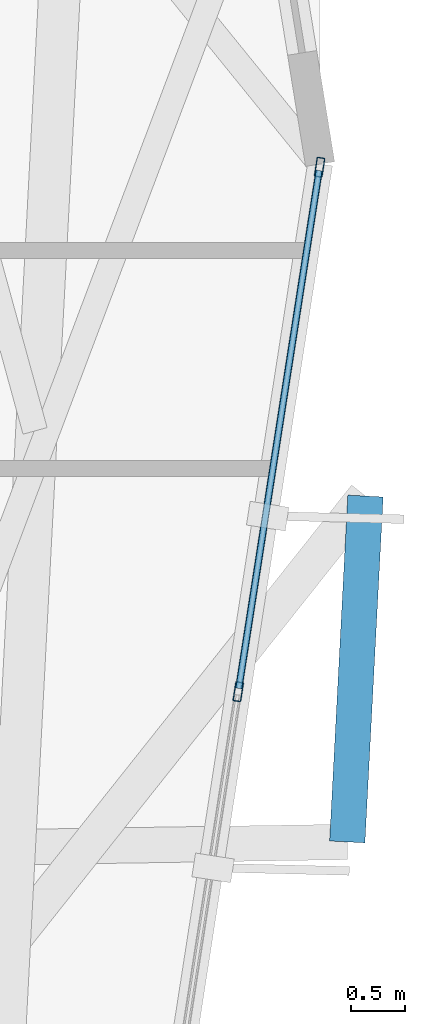
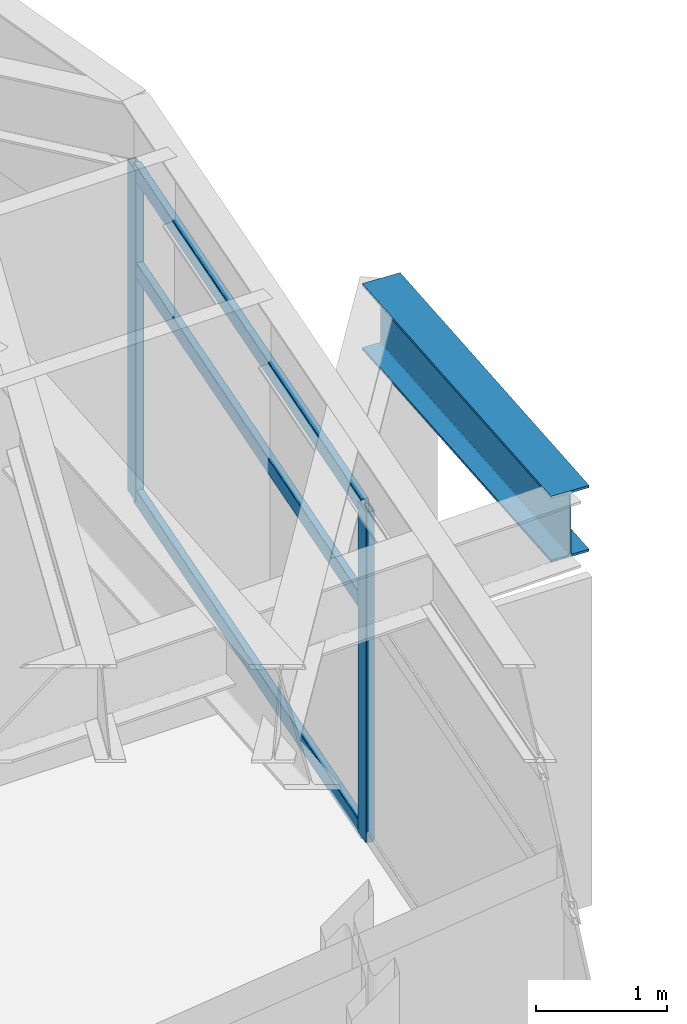
# One storey, part 11 of 23: 5 members, 1 beam, 1 element without a shape of its own.
"""IFC4 building model written with IfcOpenShell, lengths in metres."""

from ifc_helpers import new_model, si_unit, direction, frame, origin, origin_2d, place, context, subcontext, project, spatial, hollow_rectangle, i_section, extrude, material, layer, layer_set, material_profile, profile_set, type_object, element, aggregate, save


model = new_model("IFC4")

# Units and contexts
model_context = context("Model", 3, precision=1e-05, world=origin(), true_north=direction((0.0, 1.0)))
body_context = subcontext(model_context, "Body", "Model", "MODEL_VIEW")
ifc_project = project(units=[si_unit("LENGTHUNIT", "METRE"), si_unit("AREAUNIT", "SQUARE_METRE"), si_unit("VOLUMEUNIT", "CUBIC_METRE"), si_unit("PLANEANGLEUNIT", "RADIAN"), si_unit("MASSUNIT", "GRAM", prefix="KILO")], contexts=[model_context])

# Site, building, storey
site_placement = place(None, origin())
site = spatial("IfcSite", under=ifc_project, at=site_placement, CompositionType="ELEMENT")
building_placement = place(site_placement, origin())
building = spatial("IfcBuilding", under=site, at=building_placement, Name="Soratama Intermodal Tower", CompositionType="ELEMENT")
storey_placement = place(building_placement, frame((0.0, 0.0, 62.60009765625)))
storey = spatial("IfcBuildingStorey", under=building, at=storey_placement, Name="L14", CompositionType="ELEMENT", Elevation=62.60009765625)

# Beam
ifc_material_1 = material(Name="Structural steel ASTM A992 Grade 50", Category="steel")
ifc_material_profile_1 = material_profile(ifc_material_1, i_section(OverallWidth=0.324951171875, OverallDepth=0.615966796875, WebThickness=0.013916015625, FlangeThickness=0.021484375, FilletRadius=0.013916015625, at=origin_2d()), Name="W24X117")
ifc_profile_set_1 = profile_set([ifc_material_profile_1], Name="Structural steel ASTM A992 Grade 50")
beam_type = type_object("IfcBeamType", Name="BM-CANT-W24X117", PredefinedType="BEAM", material=ifc_profile_set_1)
beam_placement = place(storey_placement, frame((65.64599609375, 20.572998046875, 3.391845703125), z_axis=(0.052538675548, 0.998618890054, 0.0), x_axis=(-0.998618890054, 0.052538675548, 0.0)))
element("IfcBeam", 1, at=beam_placement, inside=storey, type_object=beam_type, Name="BM-L14-CBHDR-1", PredefinedType="BEAM", context=body_context, shape_type="SweptSolid", body=[
    extrude(i_section(OverallWidth=0.324951171875, OverallDepth=0.615966796875, WebThickness=0.013916015625, FlangeThickness=0.021484375, FilletRadius=0.013916015625, at=origin_2d()), origin(), (0.0, 0.0, 1.0), 3.178466796875),
])

# Curtain wall, members
ifc_material_2 = material(Name="Double-glazed aluminium curtain wall", Category="aluminium")
ifc_layer = layer(ifc_material_2, 0.159912109375)
ifc_layer_set = layer_set([ifc_layer], Name="Double-glazed aluminium curtain wall")
curtain_wall_type = type_object("IfcCurtainWallType", Name="CW-SYS-2", PredefinedType="NOTDEFINED", material=ifc_layer_set)
curtain_wall_placement = place(storey_placement, origin())
curtain_wall = element("IfcCurtainWall", 2, at=curtain_wall_placement, inside=storey, type_object=curtain_wall_type, Name="L14 Faceted Curtain Wall F10", PredefinedType="NOTDEFINED")
ifc_material_3 = material(Name="Anodised aluminium AA 6063-T6", Category="aluminium")
ifc_material_profile_2 = material_profile(ifc_material_3, hollow_rectangle(XDim=0.074951171875, YDim=0.179931640625, WallThickness=0.006103515625, InnerFilletRadius=0.006103515625, OuterFilletRadius=0.011962890625, at=origin_2d()), Name="CWM180X75X6")
ifc_profile_set_2 = profile_set([ifc_material_profile_2], Name="Anodised aluminium AA 6063-T6")
member_type_1 = type_object("IfcMemberType", Name="MT-CWM-2", PredefinedType="MULLION", material=ifc_profile_set_2)
member_1_placement = place(storey_placement, frame((64.6455078125, 21.95166015625, 0.0), z_axis=(0.0, 0.0, 1.0), x_axis=(-0.98817528955, 0.153328396334, 0.0)))
member_1 = element("IfcMember", 3, at=member_1_placement, type_object=member_type_1, Name="CW-2 mullion 2", PredefinedType="MULLION", context=body_context, shape_type="SweptSolid", body=[
    extrude(hollow_rectangle(XDim=0.074951171875, YDim=0.179931640625, WallThickness=0.006103515625, InnerFilletRadius=0.006103515625, OuterFilletRadius=0.011962890625, at=origin_2d()), origin(), (0.0, 0.0, 1.0), 3.078857421875),
])
member_2_placement = place(storey_placement, frame((65.39208984375, 26.76416015625, 0.0), z_axis=(0.0, 0.0, 1.0), x_axis=(-0.98817528955, 0.153328396334, 0.0)))
member_2 = element("IfcMember", 4, at=member_2_placement, type_object=member_type_1, Name="CW-2 mullion 3", PredefinedType="MULLION", context=body_context, shape_type="SweptSolid", body=[
    extrude(hollow_rectangle(XDim=0.074951171875, YDim=0.179931640625, WallThickness=0.006103515625, InnerFilletRadius=0.006103515625, OuterFilletRadius=0.011962890625, at=origin_2d()), origin(), (0.0, 0.0, 1.0), 3.078857421875),
])
ifc_material_4 = material(Name="Anodised aluminium AA 6063-T6", Category="aluminium")
ifc_material_profile_3 = material_profile(ifc_material_4, hollow_rectangle(XDim=0.06494140625, YDim=0.14990234375, WallThickness=0.0048828125, InnerFilletRadius=0.0048828125, OuterFilletRadius=0.010009765625, at=origin_2d()), Name="CWT150X65X5")
ifc_profile_set_3 = profile_set([ifc_material_profile_3], Name="Anodised aluminium AA 6063-T6")
member_type_2 = type_object("IfcMemberType", Name="TT-CWT-1", PredefinedType="USERDEFINED", material=ifc_profile_set_3)
member_3_placement = place(storey_placement, frame((64.650146484375, 21.9814453125, 0.02978515625), z_axis=(0.153342457283, 0.988173107707, 0.0), x_axis=(-0.988173107707, 0.153342457283, 0.0)))
member_3 = element("IfcMember", 5, at=member_3_placement, type_object=member_type_2, Name="CW-2 transom 2.1", ObjectType="TRANSOM", PredefinedType="USERDEFINED", context=body_context, shape_type="SweptSolid", body=[
    extrude(hollow_rectangle(XDim=0.06494140625, YDim=0.14990234375, WallThickness=0.0048828125, InnerFilletRadius=0.0048828125, OuterFilletRadius=0.010009765625, at=origin_2d()), origin(), (0.0, 0.0, 1.0), 4.809814453125),
])
member_4_placement = place(storey_placement, frame((64.650146484375, 21.9814453125, 2.14990234375), z_axis=(0.153342457283, 0.988173107707, 0.0), x_axis=(-0.988173107707, 0.153342457283, 0.0)))
member_4 = element("IfcMember", 6, at=member_4_placement, type_object=member_type_2, Name="CW-2 transom 2.2", ObjectType="TRANSOM", PredefinedType="USERDEFINED", context=body_context, shape_type="SweptSolid", body=[
    extrude(hollow_rectangle(XDim=0.06494140625, YDim=0.14990234375, WallThickness=0.0048828125, InnerFilletRadius=0.0048828125, OuterFilletRadius=0.010009765625, at=origin_2d()), origin(), (0.0, 0.0, 1.0), 4.809814453125),
])
member_5_placement = place(storey_placement, frame((64.650146484375, 21.9814453125, 3.048828125), z_axis=(0.153342457283, 0.988173107707, 0.0), x_axis=(-0.988173107707, 0.153342457283, 0.0)))
member_5 = element("IfcMember", 7, at=member_5_placement, type_object=member_type_2, Name="CW-2 transom 2.3", ObjectType="TRANSOM", PredefinedType="USERDEFINED", context=body_context, shape_type="SweptSolid", body=[
    extrude(hollow_rectangle(XDim=0.06494140625, YDim=0.14990234375, WallThickness=0.0048828125, InnerFilletRadius=0.0048828125, OuterFilletRadius=0.010009765625, at=origin_2d()), origin(), (0.0, 0.0, 1.0), 4.809814453125),
])
aggregate(curtain_wall, [member_1, member_2, member_3, member_4, member_5])

save(model, "model.ifc")
